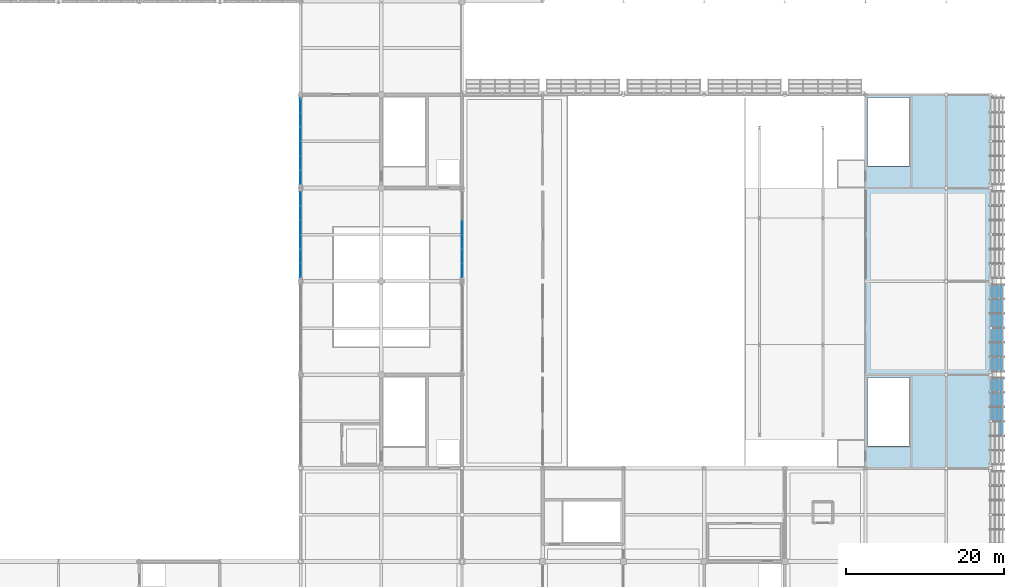
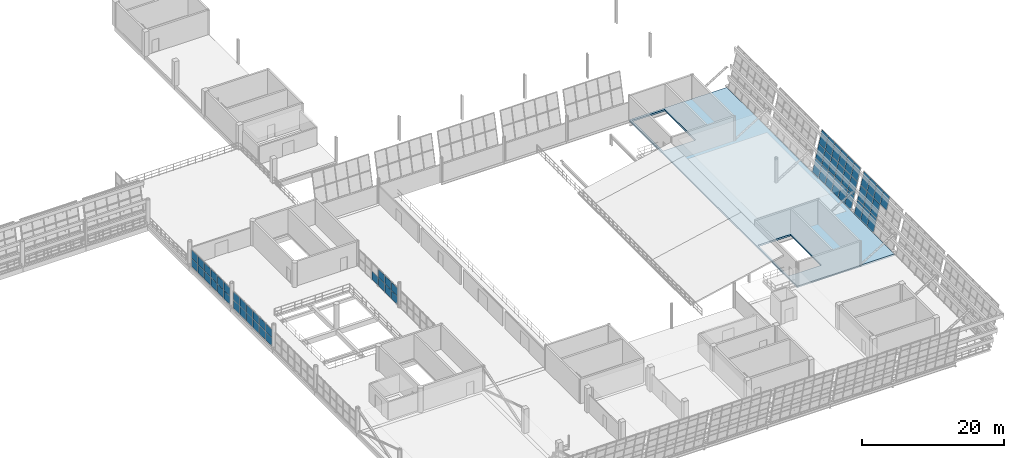
# One storey, part 115 of 157: 59 plates, 1 slab, 5 elements without a shape of their own.
"""IFC4 building model written with IfcOpenShell, lengths in metres."""

from ifc_helpers import new_model, si_unit, direction, frame, origin, origin_2d, place, context, subcontext, project, spatial, polyline, rectangle, outline, extrude, material, layer, layer_set, type_object, element, aggregate, save


model = new_model("IFC4")

# Units and contexts
model_context = context("Model", 3, precision=1e-05, world=origin(), true_north=direction((0.0, 1.0)))
body_context = subcontext(model_context, "Body", "Model", "MODEL_VIEW")
ifc_project = project(units=[si_unit("LENGTHUNIT", "METRE"), si_unit("AREAUNIT", "SQUARE_METRE"), si_unit("VOLUMEUNIT", "CUBIC_METRE"), si_unit("PLANEANGLEUNIT", "RADIAN"), si_unit("MASSUNIT", "GRAM", prefix="KILO")], contexts=[model_context])

# Site, building, storey
site_placement = place(None, origin())
site = spatial("IfcSite", under=ifc_project, at=site_placement, CompositionType="ELEMENT")
building_placement = place(site_placement, origin())
building = spatial("IfcBuilding", under=site, at=building_placement, Name="Brelvane Convention Centre", CompositionType="ELEMENT")
storey_placement = place(building_placement, frame((0.0, 0.0, 10.800048828125)))
storey = spatial("IfcBuildingStorey", under=building, at=storey_placement, Name="L02", CompositionType="ELEMENT", Elevation=10.800048828125)

# Curtain wall, plates
ifc_material_1 = material(Name="Anodised Aluminium Alloy 6063-T6", Category="aluminium")
curtain_wall_type_1 = type_object("IfcCurtainWallType", Name="Curtain Wall CW-PLEN-E", PredefinedType="USERDEFINED", material=ifc_material_1)
curtain_wall_1_placement = place(storey_placement, origin())
curtain_wall_1 = element("IfcCurtainWall", 1, at=curtain_wall_1_placement, inside=storey, type_object=curtain_wall_type_1, Name="Curtain Wall CW-PLEN-E L02-HULL-E-L02-3", ObjectType="UNITISED", PredefinedType="USERDEFINED")
ifc_material_2 = material(Name="Double Glazed Low-E Laminated Unit")
ifc_layer_1 = layer(ifc_material_2, 0.031982421875)
ifc_layer_set_1 = layer_set([ifc_layer_1], Name="Double Glazed Low-E Laminated Unit")
plate_type_1 = type_object("IfcPlateType", Name="Curtain Panel CW-PG1", PredefinedType="CURTAIN_PANEL", material=ifc_layer_set_1)
plate_1_placement = place(storey_placement, frame((231.079345703125, 44.7041015625, 4.6015625), z_axis=(-0.973575767729, 0.0, 0.228364236452), x_axis=(0.0, 1.0, 0.0)))
plate_1 = element("IfcPlate", 2, at=plate_1_placement, type_object=plate_type_1, Name="CW-PLEN-E panel 3.3", PredefinedType="CURTAIN_PANEL", context=body_context, shape_type="SweptSolid", body=[
    extrude(outline(polyline([(0.0, 0.0), (1.75830078125, 0.0), (1.75830078125, -2.237593486900043), (0.0, -2.237593486900043), (0.0, 0.0)])), origin(), (0.0, 0.0, -1.0), 0.031982421875),
])
plate_2_placement = place(storey_placement, frame((230.543701171875, 46.53759765625, 2.318359375), z_axis=(-0.973564841765, 0.0, 0.228410811652), x_axis=(0.0, 1.0, 0.0)))
plate_2 = element("IfcPlate", 3, at=plate_2_placement, type_object=plate_type_1, Name="CW-PLEN-E panel 4.2", PredefinedType="CURTAIN_PANEL", context=body_context, shape_type="SweptSolid", body=[
    extrude(outline(polyline([(0.0, 0.0), (1.75830078125, 0.0), (1.75830078125, -2.2734786747615408), (0.0, -2.2734786747615408), (0.0, 0.0)])), origin(), (0.0, 0.0, -1.0), 0.031982421875),
])
plate_3_placement = place(storey_placement, frame((231.079345703125, 46.53759765625, 4.6015625), z_axis=(-0.973575767729, 0.0, 0.228364236452), x_axis=(0.0, 1.0, 0.0)))
plate_3 = element("IfcPlate", 4, at=plate_3_placement, type_object=plate_type_1, Name="CW-PLEN-E panel 4.3", PredefinedType="CURTAIN_PANEL", context=body_context, shape_type="SweptSolid", body=[
    extrude(outline(polyline([(0.0, 0.0), (1.75830078125, 0.0), (1.75830078125, -2.237593486900043), (0.0, -2.237593486900043), (0.0, 0.0)])), origin(), (0.0, 0.0, -1.0), 0.031982421875),
])
plate_4_placement = place(storey_placement, frame((230.543701171875, 48.370849609375, 2.318359375), z_axis=(-0.973564841765, 0.0, 0.228410811652), x_axis=(0.0, 1.0, 0.0)))
plate_4 = element("IfcPlate", 5, at=plate_4_placement, type_object=plate_type_1, Name="CW-PLEN-E panel 5.2", PredefinedType="CURTAIN_PANEL", context=body_context, shape_type="SweptSolid", body=[
    extrude(outline(polyline([(0.0, 0.0), (1.75830078125, 0.0), (1.75830078125, -2.2734786747615408), (0.0, -2.2734786747615408), (0.0, 0.0)])), origin(), (0.0, 0.0, -1.0), 0.031982421875),
])
plate_5_placement = place(storey_placement, frame((231.079345703125, 48.370849609375, 4.6015625), z_axis=(-0.973575767729, 0.0, 0.228364236452), x_axis=(0.0, 1.0, 0.0)))
plate_5 = element("IfcPlate", 6, at=plate_5_placement, type_object=plate_type_1, Name="CW-PLEN-E panel 5.3", PredefinedType="CURTAIN_PANEL", context=body_context, shape_type="SweptSolid", body=[
    extrude(outline(polyline([(0.0, 0.0), (1.75830078125, 0.0), (1.75830078125, -2.237593486900043), (0.0, -2.237593486900043), (0.0, 0.0)])), origin(), (0.0, 0.0, -1.0), 0.031982421875),
])
plate_6_placement = place(storey_placement, frame((230.543701171875, 50.2041015625, 2.318359375), z_axis=(-0.973564841765, 0.0, 0.228410811652), x_axis=(0.0, 1.0, 0.0)))
plate_6 = element("IfcPlate", 7, at=plate_6_placement, type_object=plate_type_1, Name="CW-PLEN-E panel 6.2", PredefinedType="CURTAIN_PANEL", context=body_context, shape_type="SweptSolid", body=[
    extrude(outline(polyline([(0.0, 0.0), (1.720947265625, 0.0), (1.720947265625, -2.2734786747615408), (0.0, -2.2734786747615408), (0.0, 0.0)])), origin(), (0.0, 0.0, -1.0), 0.031982421875),
])
plate_7_placement = place(storey_placement, frame((231.079345703125, 50.2041015625, 4.6015625), z_axis=(-0.973575767729, 0.0, 0.228364236452), x_axis=(0.0, 1.0, 0.0)))
plate_7 = element("IfcPlate", 8, at=plate_7_placement, type_object=plate_type_1, Name="CW-PLEN-E panel 6.3", PredefinedType="CURTAIN_PANEL", context=body_context, shape_type="SweptSolid", body=[
    extrude(outline(polyline([(0.0, 0.0), (1.720947265625, 0.0), (1.720947265625, -2.237593486900043), (0.0, -2.237593486900043), (0.0, 0.0)])), origin(), (0.0, 0.0, -1.0), 0.031982421875),
])

curtain_wall_2_placement = place(storey_placement, origin())
curtain_wall_2 = element("IfcCurtainWall", 9, at=curtain_wall_2_placement, inside=storey, type_object=curtain_wall_type_1, Name="Curtain Wall CW-PLEN-E L02-HULL-E-L02-4", ObjectType="UNITISED", PredefinedType="USERDEFINED")
plate_8_placement = place(storey_placement, frame((230.543701171875, 52.875, 2.318359375), z_axis=(-0.973564841765, 0.0, 0.228410811652), x_axis=(0.0, 1.0, 0.0)))
plate_8 = element("IfcPlate", 10, at=plate_8_placement, type_object=plate_type_1, Name="CW-PLEN-E panel 1.2", PredefinedType="CURTAIN_PANEL", context=body_context, shape_type="SweptSolid", body=[
    extrude(outline(polyline([(0.0, 0.0), (1.720947265625, 0.0), (1.720947265625, -2.2734786747615408), (0.0, -2.2734786747615408), (0.0, 0.0)])), origin(), (0.0, 0.0, -1.0), 0.031982421875),
])
plate_9_placement = place(storey_placement, frame((231.079345703125, 52.875, 4.6015625), z_axis=(-0.973575767729, 0.0, 0.228364236452), x_axis=(0.0, 1.0, 0.0)))
plate_9 = element("IfcPlate", 11, at=plate_9_placement, type_object=plate_type_1, Name="CW-PLEN-E panel 1.3", PredefinedType="CURTAIN_PANEL", context=body_context, shape_type="SweptSolid", body=[
    extrude(outline(polyline([(0.0, 0.0), (1.720947265625, 0.0), (1.720947265625, -2.237593486900043), (0.0, -2.237593486900043), (0.0, 0.0)])), origin(), (0.0, 0.0, -1.0), 0.031982421875),
])
plate_10_placement = place(storey_placement, frame((230.543701171875, 54.6708984375, 2.318359375), z_axis=(-0.973564841765, 0.0, 0.228410811652), x_axis=(0.0, 1.0, 0.0)))
plate_10 = element("IfcPlate", 12, at=plate_10_placement, type_object=plate_type_1, Name="CW-PLEN-E panel 2.2", PredefinedType="CURTAIN_PANEL", context=body_context, shape_type="SweptSolid", body=[
    extrude(outline(polyline([(0.0, 0.0), (1.75830078125, 0.0), (1.75830078125, -2.2734786747615408), (0.0, -2.2734786747615408), (0.0, 0.0)])), origin(), (0.0, 0.0, -1.0), 0.031982421875),
])
plate_11_placement = place(storey_placement, frame((231.079345703125, 54.6708984375, 4.6015625), z_axis=(-0.973575767729, 0.0, 0.228364236452), x_axis=(0.0, 1.0, 0.0)))
plate_11 = element("IfcPlate", 13, at=plate_11_placement, type_object=plate_type_1, Name="CW-PLEN-E panel 2.3", PredefinedType="CURTAIN_PANEL", context=body_context, shape_type="SweptSolid", body=[
    extrude(outline(polyline([(0.0, 0.0), (1.75830078125, 0.0), (1.75830078125, -2.237593486900043), (0.0, -2.237593486900043), (0.0, 0.0)])), origin(), (0.0, 0.0, -1.0), 0.031982421875),
])
plate_12_placement = place(storey_placement, frame((230.543701171875, 56.504150390625, 2.318359375), z_axis=(-0.973564841765, 0.0, 0.228410811652), x_axis=(0.0, 1.0, 0.0)))
plate_12 = element("IfcPlate", 14, at=plate_12_placement, type_object=plate_type_1, Name="CW-PLEN-E panel 3.2", PredefinedType="CURTAIN_PANEL", context=body_context, shape_type="SweptSolid", body=[
    extrude(outline(polyline([(0.0, 0.0), (1.75830078125, 0.0), (1.75830078125, -2.2734786747615408), (0.0, -2.2734786747615408), (0.0, 0.0)])), origin(), (0.0, 0.0, -1.0), 0.031982421875),
])
plate_13_placement = place(storey_placement, frame((231.079345703125, 56.504150390625, 4.6015625), z_axis=(-0.973575767729, 0.0, 0.228364236452), x_axis=(0.0, 1.0, 0.0)))
plate_13 = element("IfcPlate", 15, at=plate_13_placement, type_object=plate_type_1, Name="CW-PLEN-E panel 3.3", PredefinedType="CURTAIN_PANEL", context=body_context, shape_type="SweptSolid", body=[
    extrude(outline(polyline([(0.0, 0.0), (1.75830078125, 0.0), (1.75830078125, -2.237593486900043), (0.0, -2.237593486900043), (0.0, 0.0)])), origin(), (0.0, 0.0, -1.0), 0.031982421875),
])
plate_14_placement = place(storey_placement, frame((230.543701171875, 58.33740234375, 2.318359375), z_axis=(-0.973564841765, 0.0, 0.228410811652), x_axis=(0.0, 1.0, 0.0)))
plate_14 = element("IfcPlate", 16, at=plate_14_placement, type_object=plate_type_1, Name="CW-PLEN-E panel 4.2", PredefinedType="CURTAIN_PANEL", context=body_context, shape_type="SweptSolid", body=[
    extrude(outline(polyline([(0.0, 0.0), (1.758544921875, 0.0), (1.758544921875, -2.2734786747615403), (0.0, -2.2734786747615403), (0.0, 0.0)])), origin(), (0.0, 0.0, -1.0), 0.031982421875),
])
plate_15_placement = place(storey_placement, frame((231.079345703125, 58.33740234375, 4.6015625), z_axis=(-0.973575767729, 0.0, 0.228364236452), x_axis=(0.0, 1.0, 0.0)))
plate_15 = element("IfcPlate", 17, at=plate_15_placement, type_object=plate_type_1, Name="CW-PLEN-E panel 4.3", PredefinedType="CURTAIN_PANEL", context=body_context, shape_type="SweptSolid", body=[
    extrude(outline(polyline([(0.0, 0.0), (1.758544921875, 0.0), (1.758544921875, -2.237593486900043), (0.0, -2.237593486900043), (0.0, 0.0)])), origin(), (0.0, 0.0, -1.0), 0.031982421875),
])
plate_16_placement = place(storey_placement, frame((230.543701171875, 60.1708984375, 2.318359375), z_axis=(-0.973564841765, 0.0, 0.228410811652), x_axis=(0.0, 1.0, 0.0)))
plate_16 = element("IfcPlate", 18, at=plate_16_placement, type_object=plate_type_1, Name="CW-PLEN-E panel 5.2", PredefinedType="CURTAIN_PANEL", context=body_context, shape_type="SweptSolid", body=[
    extrude(outline(polyline([(0.0, 0.0), (1.75830078125, 0.0), (1.75830078125, -2.2734786747615408), (0.0, -2.2734786747615408), (0.0, 0.0)])), origin(), (0.0, 0.0, -1.0), 0.031982421875),
])
plate_17_placement = place(storey_placement, frame((231.079345703125, 60.1708984375, 4.6015625), z_axis=(-0.973575767729, 0.0, 0.228364236452), x_axis=(0.0, 1.0, 0.0)))
plate_17 = element("IfcPlate", 19, at=plate_17_placement, type_object=plate_type_1, Name="CW-PLEN-E panel 5.3", PredefinedType="CURTAIN_PANEL", context=body_context, shape_type="SweptSolid", body=[
    extrude(outline(polyline([(0.0, 0.0), (1.75830078125, 0.0), (1.75830078125, -2.237593486900043), (0.0, -2.237593486900043), (0.0, 0.0)])), origin(), (0.0, 0.0, -1.0), 0.031982421875),
])
plate_18_placement = place(storey_placement, frame((230.543701171875, 62.004150390625, 2.318359375), z_axis=(-0.973564841765, 0.0, 0.228410811652), x_axis=(0.0, 1.0, 0.0)))
plate_18 = element("IfcPlate", 20, at=plate_18_placement, type_object=plate_type_1, Name="CW-PLEN-E panel 6.2", PredefinedType="CURTAIN_PANEL", context=body_context, shape_type="SweptSolid", body=[
    extrude(outline(polyline([(0.0, 0.0), (1.720947265625, 0.0), (1.720947265625, -2.2734786747615408), (0.0, -2.2734786747615408), (0.0, 0.0)])), origin(), (0.0, 0.0, -1.0), 0.031982421875),
])
plate_19_placement = place(storey_placement, frame((231.079345703125, 62.004150390625, 4.6015625), z_axis=(-0.973575767729, 0.0, 0.228364236452), x_axis=(0.0, 1.0, 0.0)))
plate_19 = element("IfcPlate", 21, at=plate_19_placement, type_object=plate_type_1, Name="CW-PLEN-E panel 6.3", PredefinedType="CURTAIN_PANEL", context=body_context, shape_type="SweptSolid", body=[
    extrude(outline(polyline([(0.0, 0.0), (1.720947265625, 0.0), (1.720947265625, -2.237593486900043), (0.0, -2.237593486900043), (0.0, 0.0)])), origin(), (0.0, 0.0, -1.0), 0.031982421875),
])

ifc_material_3 = material(Name="Anodised Aluminium Alloy 6063-T6", Category="aluminium")
curtain_wall_type_2 = type_object("IfcCurtainWallType", Name="Curtain Wall CW-CONC", PredefinedType="USERDEFINED", material=ifc_material_3)
curtain_wall_3_placement = place(storey_placement, origin())
curtain_wall_3 = element("IfcCurtainWall", 22, at=curtain_wall_3_placement, inside=storey, type_object=curtain_wall_type_2, Name="Curtain Wall CW-CONC L02-GAL-ATRIUM-W-3", ObjectType="UNITISED", PredefinedType="USERDEFINED")
plate_20_placement = place(storey_placement, frame((142.800048828125, 65.574462890625, 0.06005859375), z_axis=(0.0, 0.0, 1.0), x_axis=(0.0, 1.0, 0.0)))
plate_20 = element("IfcPlate", 23, at=plate_20_placement, type_object=plate_type_1, Name="CW-CONC panel 1.1", PredefinedType="CURTAIN_PANEL", context=body_context, shape_type="SweptSolid", body=[
    extrude(rectangle(XDim=1.71923828125, YDim=0.031982421875, at=origin_2d()), origin(), (0.0, 0.0, 1.0), 1.409912109375),
])
plate_21_placement = place(storey_placement, frame((142.800048828125, 65.574462890625, 1.52978515625), z_axis=(0.0, 0.0, 1.0), x_axis=(0.0, 1.0, 0.0)))
plate_21 = element("IfcPlate", 24, at=plate_21_placement, type_object=plate_type_1, Name="CW-CONC panel 1.2", PredefinedType="CURTAIN_PANEL", context=body_context, shape_type="SweptSolid", body=[
    extrude(rectangle(XDim=1.71923828125, YDim=0.031982421875, at=origin_2d()), origin(), (0.0, 0.0, 1.0), 1.409912109375),
])
plate_22_placement = place(storey_placement, frame((142.800048828125, 67.375, 0.06005859375), z_axis=(0.0, 0.0, 1.0), x_axis=(0.0, 1.0, 0.0)))
plate_22 = element("IfcPlate", 25, at=plate_22_placement, type_object=plate_type_1, Name="CW-CONC panel 2.1", PredefinedType="CURTAIN_PANEL", context=body_context, shape_type="SweptSolid", body=[
    extrude(rectangle(XDim=1.751708984375, YDim=0.031982421875, at=origin_2d()), origin(), (0.0, 0.0, 1.0), 1.409912109375),
])
plate_23_placement = place(storey_placement, frame((142.800048828125, 67.375, 1.52978515625), z_axis=(0.0, 0.0, 1.0), x_axis=(0.0, 1.0, 0.0)))
plate_23 = element("IfcPlate", 26, at=plate_23_placement, type_object=plate_type_1, Name="CW-CONC panel 2.2", PredefinedType="CURTAIN_PANEL", context=body_context, shape_type="SweptSolid", body=[
    extrude(rectangle(XDim=1.751708984375, YDim=0.031982421875, at=origin_2d()), origin(), (0.0, 0.0, 1.0), 1.409912109375),
])
plate_24_placement = place(storey_placement, frame((142.800048828125, 69.191650390625, 0.06005859375), z_axis=(0.0, 0.0, 1.0), x_axis=(0.0, 1.0, 0.0)))
plate_24 = element("IfcPlate", 27, at=plate_24_placement, type_object=plate_type_1, Name="CW-CONC panel 3.1", PredefinedType="CURTAIN_PANEL", context=body_context, shape_type="SweptSolid", body=[
    extrude(rectangle(XDim=1.751708984375, YDim=0.031982421875, at=origin_2d()), origin(), (0.0, 0.0, 1.0), 1.409912109375),
])
plate_25_placement = place(storey_placement, frame((142.800048828125, 69.191650390625, 1.52978515625), z_axis=(0.0, 0.0, 1.0), x_axis=(0.0, 1.0, 0.0)))
plate_25 = element("IfcPlate", 28, at=plate_25_placement, type_object=plate_type_1, Name="CW-CONC panel 3.2", PredefinedType="CURTAIN_PANEL", context=body_context, shape_type="SweptSolid", body=[
    extrude(rectangle(XDim=1.751708984375, YDim=0.031982421875, at=origin_2d()), origin(), (0.0, 0.0, 1.0), 1.409912109375),
])
plate_26_placement = place(storey_placement, frame((142.800048828125, 71.00830078125, 0.06005859375), z_axis=(0.0, 0.0, 1.0), x_axis=(0.0, 1.0, 0.0)))
plate_26 = element("IfcPlate", 29, at=plate_26_placement, type_object=plate_type_1, Name="CW-CONC panel 4.1", PredefinedType="CURTAIN_PANEL", context=body_context, shape_type="SweptSolid", body=[
    extrude(rectangle(XDim=1.751708984375, YDim=0.031982421875, at=origin_2d()), origin(), (0.0, 0.0, 1.0), 1.409912109375),
])
plate_27_placement = place(storey_placement, frame((142.800048828125, 71.00830078125, 1.52978515625), z_axis=(0.0, 0.0, 1.0), x_axis=(0.0, 1.0, 0.0)))
plate_27 = element("IfcPlate", 30, at=plate_27_placement, type_object=plate_type_1, Name="CW-CONC panel 4.2", PredefinedType="CURTAIN_PANEL", context=body_context, shape_type="SweptSolid", body=[
    extrude(rectangle(XDim=1.751708984375, YDim=0.031982421875, at=origin_2d()), origin(), (0.0, 0.0, 1.0), 1.409912109375),
])
plate_28_placement = place(storey_placement, frame((142.800048828125, 72.824951171875, 0.06005859375), z_axis=(0.0, 0.0, 1.0), x_axis=(0.0, 1.0, 0.0)))
plate_28 = element("IfcPlate", 31, at=plate_28_placement, type_object=plate_type_1, Name="CW-CONC panel 5.1", PredefinedType="CURTAIN_PANEL", context=body_context, shape_type="SweptSolid", body=[
    extrude(rectangle(XDim=1.751708984375, YDim=0.031982421875, at=origin_2d()), origin(), (0.0, 0.0, 1.0), 1.409912109375),
])
plate_29_placement = place(storey_placement, frame((142.800048828125, 72.824951171875, 1.52978515625), z_axis=(0.0, 0.0, 1.0), x_axis=(0.0, 1.0, 0.0)))
plate_29 = element("IfcPlate", 32, at=plate_29_placement, type_object=plate_type_1, Name="CW-CONC panel 5.2", PredefinedType="CURTAIN_PANEL", context=body_context, shape_type="SweptSolid", body=[
    extrude(rectangle(XDim=1.751708984375, YDim=0.031982421875, at=origin_2d()), origin(), (0.0, 0.0, 1.0), 1.409912109375),
])
plate_30_placement = place(storey_placement, frame((142.800048828125, 74.62548828125, 0.06005859375), z_axis=(0.0, 0.0, 1.0), x_axis=(0.0, 1.0, 0.0)))
plate_30 = element("IfcPlate", 33, at=plate_30_placement, type_object=plate_type_1, Name="CW-CONC panel 6.1", PredefinedType="CURTAIN_PANEL", context=body_context, shape_type="SweptSolid", body=[
    extrude(rectangle(XDim=1.71923828125, YDim=0.031982421875, at=origin_2d()), origin(), (0.0, 0.0, 1.0), 1.409912109375),
])
plate_31_placement = place(storey_placement, frame((142.800048828125, 74.62548828125, 1.52978515625), z_axis=(0.0, 0.0, 1.0), x_axis=(0.0, 1.0, 0.0)))
plate_31 = element("IfcPlate", 34, at=plate_31_placement, type_object=plate_type_1, Name="CW-CONC panel 6.2", PredefinedType="CURTAIN_PANEL", context=body_context, shape_type="SweptSolid", body=[
    extrude(rectangle(XDim=1.71923828125, YDim=0.031982421875, at=origin_2d()), origin(), (0.0, 0.0, 1.0), 1.409912109375),
])
aggregate(curtain_wall_3, [plate_20, plate_21, plate_22, plate_23, plate_24, plate_25, plate_26, plate_27, plate_28, plate_29, plate_30, plate_31])

curtain_wall_4_placement = place(storey_placement, origin())
curtain_wall_4 = element("IfcCurtainWall", 35, at=curtain_wall_4_placement, inside=storey, type_object=curtain_wall_type_2, Name="Curtain Wall CW-CONC L02-GAL-ATRIUM-W-4", ObjectType="UNITISED", PredefinedType="USERDEFINED")
plate_32_placement = place(storey_placement, frame((142.800048828125, 77.37451171875, 0.06005859375), z_axis=(0.0, 0.0, 1.0), x_axis=(0.0, 1.0, 0.0)))
plate_32 = element("IfcPlate", 36, at=plate_32_placement, type_object=plate_type_1, Name="CW-CONC panel 1.1", PredefinedType="CURTAIN_PANEL", context=body_context, shape_type="SweptSolid", body=[
    extrude(rectangle(XDim=1.71923828125, YDim=0.031982421875, at=origin_2d()), origin(), (0.0, 0.0, 1.0), 1.409912109375),
])
plate_33_placement = place(storey_placement, frame((142.800048828125, 77.37451171875, 1.52978515625), z_axis=(0.0, 0.0, 1.0), x_axis=(0.0, 1.0, 0.0)))
plate_33 = element("IfcPlate", 37, at=plate_33_placement, type_object=plate_type_1, Name="CW-CONC panel 1.2", PredefinedType="CURTAIN_PANEL", context=body_context, shape_type="SweptSolid", body=[
    extrude(rectangle(XDim=1.71923828125, YDim=0.031982421875, at=origin_2d()), origin(), (0.0, 0.0, 1.0), 1.409912109375),
])
plate_34_placement = place(storey_placement, frame((142.800048828125, 79.175048828125, 0.06005859375), z_axis=(0.0, 0.0, 1.0), x_axis=(0.0, 1.0, 0.0)))
plate_34 = element("IfcPlate", 38, at=plate_34_placement, type_object=plate_type_1, Name="CW-CONC panel 2.1", PredefinedType="CURTAIN_PANEL", context=body_context, shape_type="SweptSolid", body=[
    extrude(rectangle(XDim=1.751708984375, YDim=0.031982421875, at=origin_2d()), origin(), (0.0, 0.0, 1.0), 1.409912109375),
])
plate_35_placement = place(storey_placement, frame((142.800048828125, 79.175048828125, 1.52978515625), z_axis=(0.0, 0.0, 1.0), x_axis=(0.0, 1.0, 0.0)))
plate_35 = element("IfcPlate", 39, at=plate_35_placement, type_object=plate_type_1, Name="CW-CONC panel 2.2", PredefinedType="CURTAIN_PANEL", context=body_context, shape_type="SweptSolid", body=[
    extrude(rectangle(XDim=1.751708984375, YDim=0.031982421875, at=origin_2d()), origin(), (0.0, 0.0, 1.0), 1.409912109375),
])
plate_36_placement = place(storey_placement, frame((142.800048828125, 80.99169921875, 0.06005859375), z_axis=(0.0, 0.0, 1.0), x_axis=(0.0, 1.0, 0.0)))
plate_36 = element("IfcPlate", 40, at=plate_36_placement, type_object=plate_type_1, Name="CW-CONC panel 3.1", PredefinedType="CURTAIN_PANEL", context=body_context, shape_type="SweptSolid", body=[
    extrude(rectangle(XDim=1.751708984375, YDim=0.031982421875, at=origin_2d()), origin(), (0.0, 0.0, 1.0), 1.409912109375),
])
plate_37_placement = place(storey_placement, frame((142.800048828125, 80.99169921875, 1.52978515625), z_axis=(0.0, 0.0, 1.0), x_axis=(0.0, 1.0, 0.0)))
plate_37 = element("IfcPlate", 41, at=plate_37_placement, type_object=plate_type_1, Name="CW-CONC panel 3.2", PredefinedType="CURTAIN_PANEL", context=body_context, shape_type="SweptSolid", body=[
    extrude(rectangle(XDim=1.751708984375, YDim=0.031982421875, at=origin_2d()), origin(), (0.0, 0.0, 1.0), 1.409912109375),
])
plate_38_placement = place(storey_placement, frame((142.800048828125, 82.808349609375, 0.06005859375), z_axis=(0.0, 0.0, 1.0), x_axis=(0.0, 1.0, 0.0)))
plate_38 = element("IfcPlate", 42, at=plate_38_placement, type_object=plate_type_1, Name="CW-CONC panel 4.1", PredefinedType="CURTAIN_PANEL", context=body_context, shape_type="SweptSolid", body=[
    extrude(rectangle(XDim=1.751708984375, YDim=0.031982421875, at=origin_2d()), origin(), (0.0, 0.0, 1.0), 1.409912109375),
])
plate_39_placement = place(storey_placement, frame((142.800048828125, 82.808349609375, 1.52978515625), z_axis=(0.0, 0.0, 1.0), x_axis=(0.0, 1.0, 0.0)))
plate_39 = element("IfcPlate", 43, at=plate_39_placement, type_object=plate_type_1, Name="CW-CONC panel 4.2", PredefinedType="CURTAIN_PANEL", context=body_context, shape_type="SweptSolid", body=[
    extrude(rectangle(XDim=1.751708984375, YDim=0.031982421875, at=origin_2d()), origin(), (0.0, 0.0, 1.0), 1.409912109375),
])
plate_40_placement = place(storey_placement, frame((142.800048828125, 84.625, 0.06005859375), z_axis=(0.0, 0.0, 1.0), x_axis=(0.0, 1.0, 0.0)))
plate_40 = element("IfcPlate", 44, at=plate_40_placement, type_object=plate_type_1, Name="CW-CONC panel 5.1", PredefinedType="CURTAIN_PANEL", context=body_context, shape_type="SweptSolid", body=[
    extrude(rectangle(XDim=1.751708984375, YDim=0.031982421875, at=origin_2d()), origin(), (0.0, 0.0, 1.0), 1.409912109375),
])
plate_41_placement = place(storey_placement, frame((142.800048828125, 84.625, 1.52978515625), z_axis=(0.0, 0.0, 1.0), x_axis=(0.0, 1.0, 0.0)))
plate_41 = element("IfcPlate", 45, at=plate_41_placement, type_object=plate_type_1, Name="CW-CONC panel 5.2", PredefinedType="CURTAIN_PANEL", context=body_context, shape_type="SweptSolid", body=[
    extrude(rectangle(XDim=1.751708984375, YDim=0.031982421875, at=origin_2d()), origin(), (0.0, 0.0, 1.0), 1.409912109375),
])
plate_42_placement = place(storey_placement, frame((142.800048828125, 86.425537109375, 0.06005859375), z_axis=(0.0, 0.0, 1.0), x_axis=(0.0, 1.0, 0.0)))
plate_42 = element("IfcPlate", 46, at=plate_42_placement, type_object=plate_type_1, Name="CW-CONC panel 6.1", PredefinedType="CURTAIN_PANEL", context=body_context, shape_type="SweptSolid", body=[
    extrude(rectangle(XDim=1.71923828125, YDim=0.031982421875, at=origin_2d()), origin(), (0.0, 0.0, 1.0), 1.409912109375),
])
plate_43_placement = place(storey_placement, frame((142.800048828125, 86.425537109375, 1.52978515625), z_axis=(0.0, 0.0, 1.0), x_axis=(0.0, 1.0, 0.0)))
plate_43 = element("IfcPlate", 47, at=plate_43_placement, type_object=plate_type_1, Name="CW-CONC panel 6.2", PredefinedType="CURTAIN_PANEL", context=body_context, shape_type="SweptSolid", body=[
    extrude(rectangle(XDim=1.71923828125, YDim=0.031982421875, at=origin_2d()), origin(), (0.0, 0.0, 1.0), 1.409912109375),
])
aggregate(curtain_wall_4, [plate_32, plate_33, plate_34, plate_35, plate_36, plate_37, plate_38, plate_39, plate_40, plate_41, plate_42, plate_43])

curtain_wall_5_placement = place(storey_placement, origin())
curtain_wall_5 = element("IfcCurtainWall", 48, at=curtain_wall_5_placement, inside=storey, type_object=curtain_wall_type_2, Name="Curtain Wall CW-CONC L02-GAL-ATRIUM-E-3", ObjectType="UNITISED", PredefinedType="USERDEFINED")
ifc_material_4 = material(Name="Double Glazed Low-E Laminated Unit")
ifc_layer_2 = layer(ifc_material_4, 0.0380859375)
ifc_layer_set_2 = layer_set([ifc_layer_2], Name="Double Glazed Low-E Laminated Unit")
plate_type_2 = type_object("IfcPlateType", Name="Curtain Panel CW-PG2", PredefinedType="CURTAIN_PANEL", material=ifc_layer_set_2)
plate_44_placement = place(storey_placement, frame((163.199951171875, 65.574462890625, 0.06005859375), z_axis=(0.0, 0.0, 1.0), x_axis=(0.0, 1.0, 0.0)))
plate_44 = element("IfcPlate", 49, at=plate_44_placement, type_object=plate_type_2, Name="CW-CONC panel 1.1", PredefinedType="CURTAIN_PANEL", context=body_context, shape_type="SweptSolid", body=[
    extrude(rectangle(XDim=1.71923828125, YDim=0.0380859375, at=origin_2d()), origin(), (0.0, 0.0, 1.0), 1.409912109375),
])
plate_45_placement = place(storey_placement, frame((163.199951171875, 65.574462890625, 1.52978515625), z_axis=(0.0, 0.0, 1.0), x_axis=(0.0, 1.0, 0.0)))
plate_45 = element("IfcPlate", 50, at=plate_45_placement, type_object=plate_type_2, Name="CW-CONC panel 1.2", PredefinedType="CURTAIN_PANEL", context=body_context, shape_type="SweptSolid", body=[
    extrude(rectangle(XDim=1.71923828125, YDim=0.0380859375, at=origin_2d()), origin(), (0.0, 0.0, 1.0), 1.409912109375),
])
plate_46_placement = place(storey_placement, frame((163.199951171875, 67.375, 0.06005859375), z_axis=(0.0, 0.0, 1.0), x_axis=(0.0, 1.0, 0.0)))
plate_46 = element("IfcPlate", 51, at=plate_46_placement, type_object=plate_type_2, Name="CW-CONC panel 2.1", PredefinedType="CURTAIN_PANEL", context=body_context, shape_type="SweptSolid", body=[
    extrude(rectangle(XDim=1.751708984375, YDim=0.0380859375, at=origin_2d()), origin(), (0.0, 0.0, 1.0), 1.409912109375),
])
plate_47_placement = place(storey_placement, frame((163.199951171875, 67.375, 1.52978515625), z_axis=(0.0, 0.0, 1.0), x_axis=(0.0, 1.0, 0.0)))
plate_47 = element("IfcPlate", 52, at=plate_47_placement, type_object=plate_type_2, Name="CW-CONC panel 2.2", PredefinedType="CURTAIN_PANEL", context=body_context, shape_type="SweptSolid", body=[
    extrude(rectangle(XDim=1.751708984375, YDim=0.0380859375, at=origin_2d()), origin(), (0.0, 0.0, 1.0), 1.409912109375),
])
plate_48_placement = place(storey_placement, frame((163.199951171875, 69.191650390625, 0.06005859375), z_axis=(0.0, 0.0, 1.0), x_axis=(0.0, 1.0, 0.0)))
plate_48 = element("IfcPlate", 53, at=plate_48_placement, type_object=plate_type_2, Name="CW-CONC panel 3.1", PredefinedType="CURTAIN_PANEL", context=body_context, shape_type="SweptSolid", body=[
    extrude(rectangle(XDim=1.751708984375, YDim=0.0380859375, at=origin_2d()), origin(), (0.0, 0.0, 1.0), 1.409912109375),
])
plate_49_placement = place(storey_placement, frame((163.199951171875, 69.191650390625, 1.52978515625), z_axis=(0.0, 0.0, 1.0), x_axis=(0.0, 1.0, 0.0)))
plate_49 = element("IfcPlate", 54, at=plate_49_placement, type_object=plate_type_2, Name="CW-CONC panel 3.2", PredefinedType="CURTAIN_PANEL", context=body_context, shape_type="SweptSolid", body=[
    extrude(rectangle(XDim=1.751708984375, YDim=0.0380859375, at=origin_2d()), origin(), (0.0, 0.0, 1.0), 1.409912109375),
])
plate_50_placement = place(storey_placement, frame((163.199951171875, 71.00830078125, 0.06005859375), z_axis=(0.0, 0.0, 1.0), x_axis=(0.0, 1.0, 0.0)))
plate_50 = element("IfcPlate", 55, at=plate_50_placement, type_object=plate_type_2, Name="CW-CONC panel 4.1", PredefinedType="CURTAIN_PANEL", context=body_context, shape_type="SweptSolid", body=[
    extrude(rectangle(XDim=1.751708984375, YDim=0.0380859375, at=origin_2d()), origin(), (0.0, 0.0, 1.0), 1.409912109375),
])
aggregate(curtain_wall_5, [plate_44, plate_45, plate_46, plate_47, plate_48, plate_49, plate_50])

# Plate
ifc_material_5 = material(Name="Patinated Copper-Bronze Alloy C22000")
ifc_layer_3 = layer(ifc_material_5, 0.048095703125)
ifc_layer_set_3 = layer_set([ifc_layer_3], Name="Patinated Copper-Bronze Alloy C22000")
plate_type_3 = type_object("IfcPlateType", Name="Curtain Panel CW-PS1", PredefinedType="CURTAIN_PANEL", material=ifc_layer_set_3)
plate_51_placement = place(storey_placement, frame((230.016357421875, 46.53759765625, 0.070068359375), z_axis=(-0.973570076786, 0.0, 0.228388497054), x_axis=(0.0, 1.0, 0.0)))
plate_51 = element("IfcPlate", 56, at=plate_51_placement, type_object=plate_type_3, Name="CW-PLEN-E panel 4.1", PredefinedType="CURTAIN_PANEL", context=body_context, shape_type="SweptSolid", body=[
    extrude(outline(polyline([(0.0, 0.0), (1.75830078125, 0.0), (1.75830078125, -2.237355798198283), (0.0, -2.237355798198283), (0.0, 0.0)])), origin(), (0.0, 0.0, -1.0), 0.031982421875),
])

plate_52_placement = place(storey_placement, frame((230.016357421875, 48.370849609375, 0.070068359375), z_axis=(-0.973570076786, 0.0, 0.228388497054), x_axis=(0.0, 1.0, 0.0)))
plate_52 = element("IfcPlate", 57, at=plate_52_placement, type_object=plate_type_3, Name="CW-PLEN-E panel 5.1", PredefinedType="CURTAIN_PANEL", context=body_context, shape_type="SweptSolid", body=[
    extrude(outline(polyline([(0.0, 0.0), (1.75830078125, 0.0), (1.75830078125, -2.237355798198283), (0.0, -2.237355798198283), (0.0, 0.0)])), origin(), (0.0, 0.0, -1.0), 0.031982421875),
])

plate_53_placement = place(storey_placement, frame((230.016357421875, 50.2041015625, 0.070068359375), z_axis=(-0.973570076786, 0.0, 0.228388497054), x_axis=(0.0, 1.0, 0.0)))
plate_53 = element("IfcPlate", 58, at=plate_53_placement, type_object=plate_type_3, Name="CW-PLEN-E panel 6.1", PredefinedType="CURTAIN_PANEL", context=body_context, shape_type="SweptSolid", body=[
    extrude(outline(polyline([(0.0, 0.0), (1.720947265625, 0.0), (1.720947265625, -2.2373557981982826), (0.0, -2.2373557981982826), (0.0, 0.0)])), origin(), (0.0, 0.0, -1.0), 0.031982421875),
])

aggregate(curtain_wall_1, [plate_1, plate_51, plate_2, plate_3, plate_52, plate_4, plate_5, plate_53, plate_6, plate_7])

plate_54_placement = place(storey_placement, frame((230.016357421875, 52.875, 0.070068359375), z_axis=(-0.973570076786, 0.0, 0.228388497054), x_axis=(0.0, 1.0, 0.0)))
plate_54 = element("IfcPlate", 59, at=plate_54_placement, type_object=plate_type_3, Name="CW-PLEN-E panel 1.1", PredefinedType="CURTAIN_PANEL", context=body_context, shape_type="SweptSolid", body=[
    extrude(outline(polyline([(0.0, 0.0), (1.720947265625, 0.0), (1.720947265625, -2.2373557981982826), (0.0, -2.2373557981982826), (0.0, 0.0)])), origin(), (0.0, 0.0, -1.0), 0.031982421875),
])

plate_55_placement = place(storey_placement, frame((230.016357421875, 54.6708984375, 0.070068359375), z_axis=(-0.973570076786, 0.0, 0.228388497054), x_axis=(0.0, 1.0, 0.0)))
plate_55 = element("IfcPlate", 60, at=plate_55_placement, type_object=plate_type_3, Name="CW-PLEN-E panel 2.1", PredefinedType="CURTAIN_PANEL", context=body_context, shape_type="SweptSolid", body=[
    extrude(outline(polyline([(0.0, 0.0), (1.75830078125, 0.0), (1.75830078125, -2.237355798198283), (0.0, -2.237355798198283), (0.0, 0.0)])), origin(), (0.0, 0.0, -1.0), 0.031982421875),
])

plate_56_placement = place(storey_placement, frame((230.016357421875, 56.504150390625, 0.070068359375), z_axis=(-0.973570076786, 0.0, 0.228388497054), x_axis=(0.0, 1.0, 0.0)))
plate_56 = element("IfcPlate", 61, at=plate_56_placement, type_object=plate_type_3, Name="CW-PLEN-E panel 3.1", PredefinedType="CURTAIN_PANEL", context=body_context, shape_type="SweptSolid", body=[
    extrude(outline(polyline([(0.0, 0.0), (1.75830078125, 0.0), (1.75830078125, -2.237355798198283), (0.0, -2.237355798198283), (0.0, 0.0)])), origin(), (0.0, 0.0, -1.0), 0.031982421875),
])

plate_57_placement = place(storey_placement, frame((230.016357421875, 58.33740234375, 0.070068359375), z_axis=(-0.973570076786, 0.0, 0.228388497054), x_axis=(0.0, 1.0, 0.0)))
plate_57 = element("IfcPlate", 62, at=plate_57_placement, type_object=plate_type_3, Name="CW-PLEN-E panel 4.1", PredefinedType="CURTAIN_PANEL", context=body_context, shape_type="SweptSolid", body=[
    extrude(outline(polyline([(0.0, 0.0), (1.758544921875, 0.0), (1.758544921875, -2.2373557981982826), (0.0, -2.2373557981982826), (0.0, 0.0)])), origin(), (0.0, 0.0, -1.0), 0.031982421875),
])

plate_58_placement = place(storey_placement, frame((230.016357421875, 60.1708984375, 0.070068359375), z_axis=(-0.973570076786, 0.0, 0.228388497054), x_axis=(0.0, 1.0, 0.0)))
plate_58 = element("IfcPlate", 63, at=plate_58_placement, type_object=plate_type_3, Name="CW-PLEN-E panel 5.1", PredefinedType="CURTAIN_PANEL", context=body_context, shape_type="SweptSolid", body=[
    extrude(outline(polyline([(0.0, 0.0), (1.75830078125, 0.0), (1.75830078125, -2.237355798198283), (0.0, -2.237355798198283), (0.0, 0.0)])), origin(), (0.0, 0.0, -1.0), 0.031982421875),
])

plate_59_placement = place(storey_placement, frame((230.016357421875, 62.004150390625, 0.070068359375), z_axis=(-0.973570076786, 0.0, 0.228388497054), x_axis=(0.0, 1.0, 0.0)))
plate_59 = element("IfcPlate", 64, at=plate_59_placement, type_object=plate_type_3, Name="CW-PLEN-E panel 6.1", PredefinedType="CURTAIN_PANEL", context=body_context, shape_type="SweptSolid", body=[
    extrude(outline(polyline([(0.0, 0.0), (1.720947265625, 0.0), (1.720947265625, -2.2373557981982826), (0.0, -2.2373557981982826), (0.0, 0.0)])), origin(), (0.0, 0.0, -1.0), 0.031982421875),
])

aggregate(curtain_wall_2, [plate_54, plate_8, plate_9, plate_55, plate_10, plate_11, plate_56, plate_12, plate_13, plate_57, plate_14, plate_15, plate_58, plate_16, plate_17, plate_59, plate_18, plate_19])

# Slab
ifc_material_6 = material(Name="Concrete M40", Category="concrete")
ifc_layer_4 = layer(ifc_material_6, 0.280029296875)
ifc_layer_set_4 = layer_set([ifc_layer_4], Name="Concrete M40")
slab_type = type_object("IfcSlabType", Name="Structural Slab SL-FLR-280", PredefinedType="FLOOR", material=ifc_layer_set_4)
slab_placement = place(storey_placement, frame((0.0, 0.0, -0.280029296875)))
element("IfcSlab", 65, at=slab_placement, inside=storey, type_object=slab_type, Name="L02 Floor Slab PLEN-BOOTH", PredefinedType="FLOOR", context=body_context, shape_type="SweptSolid", body=[
    extrude(outline(polyline([(214.199951171875, 40.60009765625), (230.0, 40.60009765625), (230.0, 87.800048828125), (214.199951171875, 87.800048828125), (214.199951171875, 40.60009765625)]), holes=[polyline([(214.449951171875, 43.3798828125), (219.75, 43.3798828125), (219.75, 52.050048828125), (214.449951171875, 52.050048828125), (214.449951171875, 43.3798828125)]), polyline([(214.449951171875, 78.780029296875), (219.75, 78.780029296875), (219.75, 87.449951171875), (214.449951171875, 87.449951171875), (214.449951171875, 78.780029296875)])]), origin(), (0.0, 0.0, 1.0), 0.280029296875),
])

save(model, "model.ifc")
